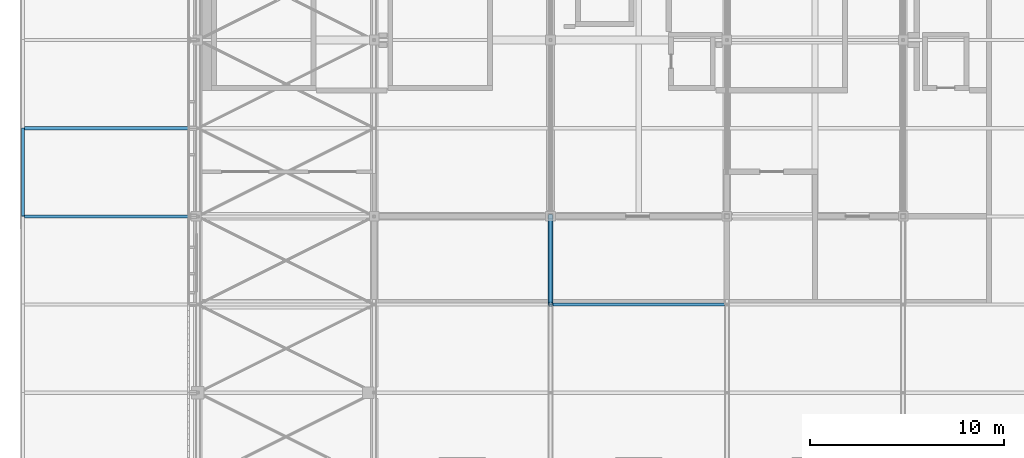
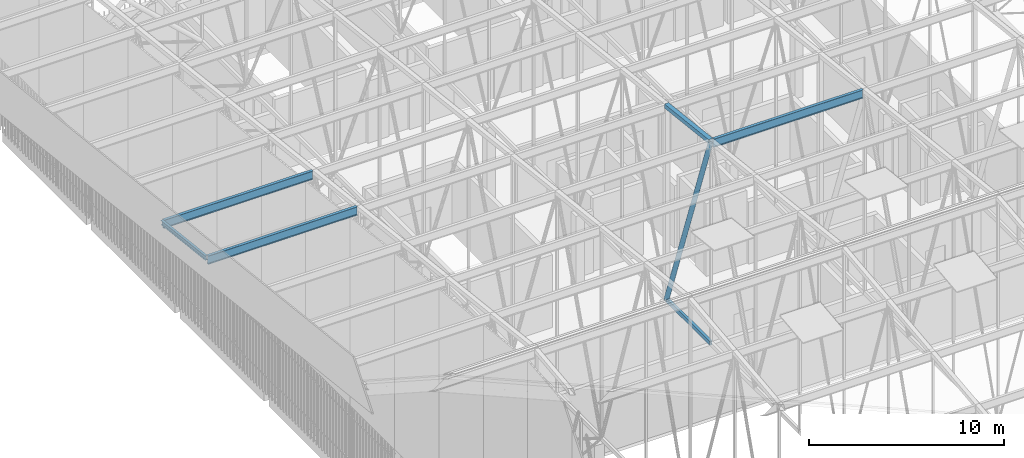
# One storey, part 178 of 500: 7 members.
"""IFC4 building model written with IfcOpenShell, lengths in metres."""

from ifc_helpers import new_model, si_unit, direction, frame, origin, origin_2d, place, context, subcontext, project, spatial, hollow_rectangle, hollow_circle, i_section, extrude, material, material_profile, profile_set, type_object, element, save


model = new_model("IFC4")

# Units and contexts
model_context = context("Model", 3, precision=1e-05, world=origin(), true_north=direction((0.0, 1.0)))
body_context = subcontext(model_context, "Body", "Model", "MODEL_VIEW")
ifc_project = project(units=[si_unit("LENGTHUNIT", "METRE"), si_unit("AREAUNIT", "SQUARE_METRE"), si_unit("VOLUMEUNIT", "CUBIC_METRE"), si_unit("PLANEANGLEUNIT", "RADIAN"), si_unit("MASSUNIT", "GRAM", prefix="KILO")], contexts=[model_context])

# Site, building, storey
site_placement = place(None, origin())
site = spatial("IfcSite", under=ifc_project, at=site_placement, CompositionType="ELEMENT")
building_placement = place(site_placement, origin())
building = spatial("IfcBuilding", under=site, at=building_placement, Name="Shirokan Park Arena", CompositionType="ELEMENT")
storey_placement = place(building_placement, frame((0.0, 0.0, 29.1201171875)))
storey = spatial("IfcBuildingStorey", under=building, at=storey_placement, Name="L06", CompositionType="ELEMENT", Elevation=29.1201171875)

# Members
ifc_material_1 = material(Name="Steel ASTM A500 Grade C", Category="steel")
ifc_material_profile_1 = material_profile(ifc_material_1, hollow_rectangle(XDim=0.152099609375, YDim=0.25390625, WallThickness=0.009521484375, at=origin_2d()), Name="HSS254X152.4X9.5")
ifc_profile_set_1 = profile_set([ifc_material_profile_1], Name="Steel ASTM A500 Grade C")
member_type_1 = type_object("IfcMemberType", Name="Bottom chord HSS254X152.4X9.5", PredefinedType="CHORD", material=ifc_profile_set_1)
member_1_placement = place(storey_placement, frame((18.199951171875, 68.25, 4.677001953125), z_axis=(0.0, 1.0, 0.0), x_axis=(-1.0, 0.0, 0.0)))
element("IfcMember", 1, at=member_1_placement, inside=storey, type_object=member_type_1, Name="Truss T03 bottom chord 18", PredefinedType="CHORD", context=body_context, shape_type="SweptSolid", body=[
    extrude(hollow_rectangle(XDim=0.152099609375, YDim=0.25390625, WallThickness=0.009521484375, at=origin_2d()), origin(), (0.0, 0.0, 1.0), 4.550048828125),
])
ifc_material_2 = material(Name="Steel ASTM A992", Category="steel")
ifc_material_profile_2 = material_profile(ifc_material_2, i_section(OverallWidth=0.166015625, OverallDepth=0.528076171875, WebThickness=0.009765625, FlangeThickness=0.013671875, at=origin_2d()), Name="W530X74")
ifc_profile_set_2 = profile_set([ifc_material_profile_2], Name="Steel ASTM A992")
member_type_2 = type_object("IfcMemberType", Name="Purlin W530X74", PredefinedType="PURLIN", material=ifc_profile_set_2)
member_2_placement = place(storey_placement, frame((18.326904296875, 68.25, 17.165771484375), z_axis=(1.0, 0.0, 0.0), x_axis=(0.0, 1.0, 0.0)))
element("IfcMember", 2, at=member_2_placement, inside=storey, type_object=member_type_2, Name="Purlin 18 bay 3", PredefinedType="PURLIN", context=body_context, shape_type="SweptSolid", body=[
    extrude(i_section(OverallWidth=0.166015625, OverallDepth=0.528076171875, WebThickness=0.009765625, FlangeThickness=0.013671875, at=origin_2d()), origin(), (0.0, 0.0, 1.0), 8.84619140625),
])
for number, where, z_axis, x_axis, name in (
    (3, (-8.951904296875, 72.800048828125, 16.64599609375), (1.0, 0.0, 0.0), (0.0, 1.0, 0.0), "Eave purlin west 19"),
    (4, (-8.951904296875, 77.35009765625, 16.1259765625), (1.0, 0.0, 0.0), (0.0, 1.0, 0.0), "Eave purlin west 20"),
):
    element("IfcMember", number, at=place(storey_placement, frame(where, z_axis=z_axis, x_axis=x_axis)), inside=storey, type_object=member_type_2, Name=name, PredefinedType="PURLIN", context=body_context, shape_type="SweptSolid", body=[
        extrude(i_section(OverallWidth=0.166015625, OverallDepth=0.528076171875, WebThickness=0.009765625, FlangeThickness=0.013671875, at=origin_2d()), origin(), (0.0, 0.0, 1.0), 8.824951171875),
    ])
ifc_material_profile_3 = material_profile(ifc_material_2, i_section(OverallWidth=0.14794921875, OverallDepth=0.26708984375, WebThickness=0.007568359375, FlangeThickness=0.012939453125, at=origin_2d()), Name="W250X44.8")
ifc_profile_set_3 = profile_set([ifc_material_profile_3], Name="Steel ASTM A992")
member_type_3 = type_object("IfcMemberType", Name="Roof edge beam W250X44.8", PredefinedType="USERDEFINED", material=ifc_profile_set_3)
member_3_placement = place(storey_placement, frame((-9.02587890625, 72.800048828125, 16.7763671875), z_axis=(0.0, 0.993532328996, -0.113549598152), x_axis=(-1.0, 0.0, 0.0)))
element("IfcMember", 5, at=member_3_placement, inside=storey, type_object=member_type_3, Name="Roof edge beam W 19", ObjectType="ROOF EDGE BEAM", PredefinedType="USERDEFINED", context=body_context, shape_type="SweptSolid", body=[
    extrude(i_section(OverallWidth=0.14794921875, OverallDepth=0.26708984375, WebThickness=0.007568359375, FlangeThickness=0.012939453125, at=origin_2d()), origin(), (0.0, 0.0, 1.0), 4.57958984375),
])
ifc_material_profile_4 = material_profile(ifc_material_1, hollow_rectangle(XDim=0.25390625, YDim=0.25390625, WallThickness=0.009521484375, at=origin_2d()), Name="HSS254X254X9.5")
ifc_profile_set_4 = profile_set([ifc_material_profile_4], Name="Steel ASTM A500 Grade C")
member_type_4 = type_object("IfcMemberType", Name="Top chord HSS254X254X9.5", PredefinedType="CHORD", material=ifc_profile_set_4)
member_4_placement = place(storey_placement, frame((18.199951171875, 68.25, 17.302978515625), z_axis=(0.0, 0.993532328996, -0.113549598152), x_axis=(-1.0, 0.0, 0.0)))
element("IfcMember", 6, at=member_4_placement, inside=storey, type_object=member_type_4, Name="Truss T03 top chord 18", PredefinedType="CHORD", context=body_context, shape_type="SweptSolid", body=[
    extrude(hollow_rectangle(XDim=0.25390625, YDim=0.25390625, WallThickness=0.009521484375, at=origin_2d()), origin(), (0.0, 0.0, 1.0), 4.57958984375),
])
ifc_material_profile_5 = material_profile(ifc_material_1, hollow_circle(Radius=0.136474609375, WallThickness=0.009521484375, at=origin_2d()), Name="HSS273.1X9.5")
ifc_profile_set_5 = profile_set([ifc_material_profile_5], Name="Steel ASTM A500 Grade C")
member_type_5 = type_object("IfcMemberType", Name="Truss diagonal HSS273.1X9.5", PredefinedType="BRACE", material=ifc_profile_set_5)
member_5_placement = place(storey_placement, frame((18.199951171875, 68.25, 17.302978515625), z_axis=(0.0, 0.339029292845, -0.940775817394), x_axis=(-1.0, 0.0, 0.0)))
element("IfcMember", 7, at=member_5_placement, inside=storey, type_object=member_type_5, Name="Truss T03 diagonal 18", PredefinedType="BRACE", context=body_context, shape_type="SweptSolid", body=[
    extrude(hollow_circle(Radius=0.136474609375, WallThickness=0.009521484375, at=origin_2d()), origin(), (0.0, 0.0, 1.0), 13.4208984375),
])

save(model, "model.ifc")
